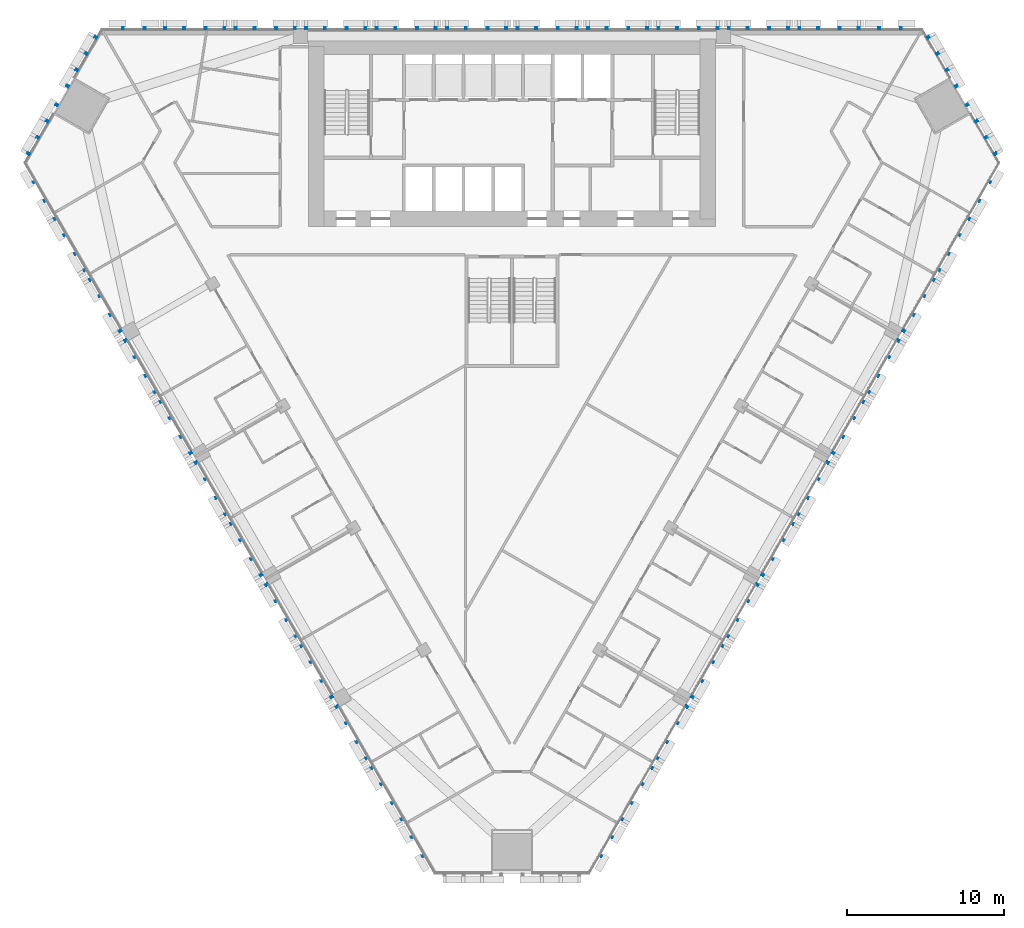
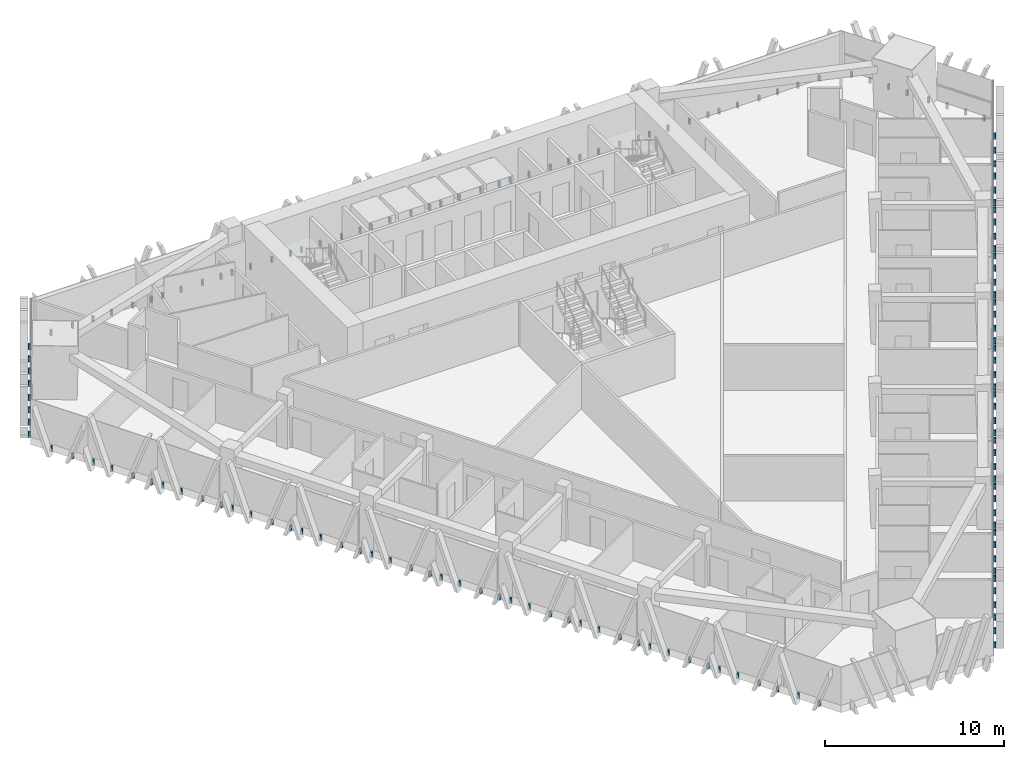
# One storey, part 15 of 18: 5 discrete accessories.
"""IFC4 building model written with IfcOpenShell, lengths in metres."""

from ifc_helpers import new_model, si_unit, direction, frame, origin, place, context, subcontext, project, spatial, polyline, outline, extrude, source, transform, mapped, material, type_object, element, save


model = new_model("IFC4")

# Units and contexts
model_context = context("Model", 3, precision=1e-05, world=origin(), true_north=direction((0.0, 1.0)))
body_context = subcontext(model_context, "Body", "Model", "MODEL_VIEW")
ifc_project = project(units=[si_unit("LENGTHUNIT", "METRE"), si_unit("AREAUNIT", "SQUARE_METRE"), si_unit("VOLUMEUNIT", "CUBIC_METRE"), si_unit("PLANEANGLEUNIT", "RADIAN"), si_unit("MASSUNIT", "GRAM", prefix="KILO")], contexts=[model_context])

# Site, building, storey
site_placement = place(None, origin())
site = spatial("IfcSite", under=ifc_project, at=site_placement, CompositionType="ELEMENT")
building_placement = place(site_placement, origin())
building = spatial("IfcBuilding", under=site, at=building_placement, Name="Altiplano Prism Tower", CompositionType="ELEMENT")
storey_placement = place(building_placement, frame((0.0, 0.0, 34.199951171875)))
storey = spatial("IfcBuildingStorey", under=building, at=storey_placement, Name="L07", CompositionType="ELEMENT", Elevation=34.199951171875)

# Discrete accessories
ifc_material = material(Name="Stainless steel", Category="steel")
discrete_accessory_type = type_object("IfcDiscreteAccessoryType", Name="Stone fin fixing prongs", PredefinedType="USERDEFINED", material=ifc_material)
shared_shape_1 = source(origin(), body_context, "Body", "SweptSolid", [
    extrude(outline(polyline([(-0.7509765625, 0.06005859375), (-0.631103515625, 0.06005859375), (-0.631103515625, 0.43994140625), (-0.7509765625, 0.43994140625), (-0.7509765625, 0.06005859375)])), frame((0.0, 0.0, 0.0), z_axis=(0.0, -1.0, 0.0), x_axis=(1.0, 0.0, 0.0)), (0.0, 0.0, 1.0), 0.14990234375),
    extrude(outline(polyline([(0.631103515625, 0.06005859375), (0.7509765625, 0.06005859375), (0.7509765625, 0.43994140625), (0.631103515625, 0.43994140625), (0.631103515625, 0.06005859375)])), frame((0.0, 0.0, 0.0), z_axis=(0.0, -1.0, 0.0), x_axis=(1.0, 0.0, 0.0)), (0.0, 0.0, 1.0), 0.14990234375),
])
shared_shape_2 = source(origin(), body_context, "Body", "SweptSolid", [
    extrude(outline(polyline([(-1.950927734375, 0.06005859375), (-1.8310546875, 0.06005859375), (-1.8310546875, 0.43994140625), (-1.950927734375, 0.43994140625), (-1.950927734375, 0.06005859375)])), frame((0.0, 0.0, 0.0), z_axis=(0.0, -1.0, 0.0), x_axis=(1.0, 0.0, 0.0)), (0.0, 0.0, 1.0), 0.14990234375),
    extrude(outline(polyline([(-0.7509765625, 0.06005859375), (-0.631103515625, 0.06005859375), (-0.631103515625, 0.43994140625), (-0.7509765625, 0.43994140625), (-0.7509765625, 0.06005859375)])), frame((0.0, 0.0, 0.0), z_axis=(0.0, -1.0, 0.0), x_axis=(1.0, 0.0, 0.0)), (0.0, 0.0, 1.0), 0.14990234375),
    extrude(outline(polyline([(0.631103515625, 0.06005859375), (0.7509765625, 0.06005859375), (0.7509765625, 0.43994140625), (0.631103515625, 0.43994140625), (0.631103515625, 0.06005859375)])), frame((0.0, 0.0, 0.0), z_axis=(0.0, -1.0, 0.0), x_axis=(1.0, 0.0, 0.0)), (0.0, 0.0, 1.0), 0.14990234375),
    extrude(outline(polyline([(1.8310546875, 0.06005859375), (1.950927734375, 0.06005859375), (1.950927734375, 0.43994140625), (1.8310546875, 0.43994140625), (1.8310546875, 0.06005859375)])), frame((0.0, 0.0, 0.0), z_axis=(0.0, -1.0, 0.0), x_axis=(1.0, 0.0, 0.0)), (0.0, 0.0, 1.0), 0.14990234375),
])
discrete_accessory_1_placement = place(storey_placement, origin())
element("IfcDiscreteAccessory", 1, at=discrete_accessory_1_placement, inside=storey, type_object=discrete_accessory_type, Name="Fin fixings L07 north face", ObjectType="BRACKET", PredefinedType="USERDEFINED", context=body_context, shape_type="MappedRepresentation", body=[
    mapped(shared_shape_1, transform((109.153564453125, 105.0, -0.5), x_axis=(-1.0, 0.0, 0.0), y_axis=(0.0, -1.0, 0.0), z_axis=(0.0, 0.0, 1.0))),
    mapped(shared_shape_2, transform((105.25, 105.0, -0.5), x_axis=(-1.0, 0.0, 0.0), y_axis=(0.0, -1.0, 0.0), z_axis=(0.0, 0.0, 1.0))),
    mapped(shared_shape_2, transform((100.75, 105.0, -0.5), x_axis=(-1.0, 0.0, 0.0), y_axis=(0.0, -1.0, 0.0), z_axis=(0.0, 0.0, 1.0))),
    mapped(shared_shape_2, transform((96.25, 105.0, -0.5), x_axis=(-1.0, 0.0, 0.0), y_axis=(0.0, -1.0, 0.0), z_axis=(0.0, 0.0, 1.0))),
    mapped(shared_shape_2, transform((91.75, 105.0, -0.5), x_axis=(-1.0, 0.0, 0.0), y_axis=(0.0, -1.0, 0.0), z_axis=(0.0, 0.0, 1.0))),
    mapped(shared_shape_2, transform((87.25, 105.0, -0.5), x_axis=(-1.0, 0.0, 0.0), y_axis=(0.0, -1.0, 0.0), z_axis=(0.0, 0.0, 1.0))),
    mapped(shared_shape_2, transform((82.75, 105.0, -0.5), x_axis=(-1.0, 0.0, 0.0), y_axis=(0.0, -1.0, 0.0), z_axis=(0.0, 0.0, 1.0))),
    mapped(shared_shape_2, transform((78.25, 105.0, -0.5), x_axis=(-1.0, 0.0, 0.0), y_axis=(0.0, -1.0, 0.0), z_axis=(0.0, 0.0, 1.0))),
    mapped(shared_shape_2, transform((73.75, 105.0, -0.5), x_axis=(-1.0, 0.0, 0.0), y_axis=(0.0, -1.0, 0.0), z_axis=(0.0, 0.0, 1.0))),
    mapped(shared_shape_2, transform((69.25, 105.0, -0.5), x_axis=(-1.0, 0.0, 0.0), y_axis=(0.0, -1.0, 0.0), z_axis=(0.0, 0.0, 1.0))),
    mapped(shared_shape_2, transform((64.75, 105.0, -0.5), x_axis=(-1.0, 0.0, 0.0), y_axis=(0.0, -1.0, 0.0), z_axis=(0.0, 0.0, 1.0))),
    mapped(shared_shape_1, transform((60.846435546875, 105.0, -0.5), x_axis=(-1.0, 0.0, 0.0), y_axis=(0.0, -1.0, 0.0), z_axis=(0.0, 0.0, 1.0))),
])
discrete_accessory_2_placement = place(storey_placement, origin())
element("IfcDiscreteAccessory", 2, at=discrete_accessory_2_placement, inside=storey, type_object=discrete_accessory_type, Name="Fin fixings L07 south-west face", ObjectType="BRACKET", PredefinedType="USERDEFINED", context=body_context, shape_type="MappedRepresentation", body=[
    mapped(shared_shape_1, transform((54.896728515625, 94.694580078125, -0.5), x_axis=(0.499999989059, -0.866025410101, 0.0), y_axis=(0.866025410101, 0.499999989059, 0.0), z_axis=(0.0, 0.0, 1.0))),
    mapped(shared_shape_2, transform((56.848388671875, 91.314208984375, -0.5), x_axis=(0.499999989059, -0.866025410101, 0.0), y_axis=(0.866025410101, 0.499999989059, 0.0), z_axis=(0.0, 0.0, 1.0))),
    mapped(shared_shape_2, transform((59.098388671875, 87.4169921875, -0.5), x_axis=(0.499999989059, -0.866025410101, 0.0), y_axis=(0.866025410101, 0.499999989059, 0.0), z_axis=(0.0, 0.0, 1.0))),
    mapped(shared_shape_2, transform((61.348388671875, 83.519775390625, -0.5), x_axis=(0.499999989059, -0.866025410101, 0.0), y_axis=(0.866025410101, 0.499999989059, 0.0), z_axis=(0.0, 0.0, 1.0))),
    mapped(shared_shape_2, transform((63.598388671875, 79.622802734375, -0.5), x_axis=(0.499999989059, -0.866025410101, 0.0), y_axis=(0.866025410101, 0.499999989059, 0.0), z_axis=(0.0, 0.0, 1.0))),
    mapped(shared_shape_2, transform((65.848388671875, 75.7255859375, -0.5), x_axis=(0.499999989059, -0.866025410101, 0.0), y_axis=(0.866025410101, 0.499999989059, 0.0), z_axis=(0.0, 0.0, 1.0))),
    mapped(shared_shape_2, transform((68.098388671875, 71.82861328125, -0.5), x_axis=(0.499999989059, -0.866025410101, 0.0), y_axis=(0.866025410101, 0.499999989059, 0.0), z_axis=(0.0, 0.0, 1.0))),
    mapped(shared_shape_2, transform((70.348388671875, 67.931396484375, -0.5), x_axis=(0.499999989059, -0.866025410101, 0.0), y_axis=(0.866025410101, 0.499999989059, 0.0), z_axis=(0.0, 0.0, 1.0))),
    mapped(shared_shape_2, transform((72.598388671875, 64.034423828125, -0.5), x_axis=(0.499999989059, -0.866025410101, 0.0), y_axis=(0.866025410101, 0.499999989059, 0.0), z_axis=(0.0, 0.0, 1.0))),
    mapped(shared_shape_2, transform((74.848388671875, 60.13720703125, -0.5), x_axis=(0.499999989059, -0.866025410101, 0.0), y_axis=(0.866025410101, 0.499999989059, 0.0), z_axis=(0.0, 0.0, 1.0))),
    mapped(shared_shape_2, transform((77.098388671875, 56.239990234375, -0.5), x_axis=(0.499999989059, -0.866025410101, 0.0), y_axis=(0.866025410101, 0.499999989059, 0.0), z_axis=(0.0, 0.0, 1.0))),
    mapped(shared_shape_1, transform((79.05029296875, 52.859619140625, -0.5), x_axis=(0.499999989059, -0.866025410101, 0.0), y_axis=(0.866025410101, 0.499999989059, 0.0), z_axis=(0.0, 0.0, 1.0))),
])
discrete_accessory_3_placement = place(storey_placement, origin())
element("IfcDiscreteAccessory", 3, at=discrete_accessory_3_placement, inside=storey, type_object=discrete_accessory_type, Name="Fin fixings L07 south-east face", ObjectType="BRACKET", PredefinedType="USERDEFINED", context=body_context, shape_type="MappedRepresentation", body=[
    mapped(shared_shape_1, transform((90.94970703125, 52.859619140625, -0.5), x_axis=(0.499999989059, 0.866025410101, 0.0), y_axis=(-0.866025410101, 0.499999989059, 0.0), z_axis=(0.0, 0.0, 1.0))),
    mapped(shared_shape_2, transform((92.901611328125, 56.239990234375, -0.5), x_axis=(0.499999989059, 0.866025410101, 0.0), y_axis=(-0.866025410101, 0.499999989059, 0.0), z_axis=(0.0, 0.0, 1.0))),
    mapped(shared_shape_2, transform((95.151611328125, 60.13720703125, -0.5), x_axis=(0.499999989059, 0.866025410101, 0.0), y_axis=(-0.866025410101, 0.499999989059, 0.0), z_axis=(0.0, 0.0, 1.0))),
    mapped(shared_shape_2, transform((97.401611328125, 64.034423828125, -0.5), x_axis=(0.499999989059, 0.866025410101, 0.0), y_axis=(-0.866025410101, 0.499999989059, 0.0), z_axis=(0.0, 0.0, 1.0))),
    mapped(shared_shape_2, transform((99.651611328125, 67.931396484375, -0.5), x_axis=(0.499999989059, 0.866025410101, 0.0), y_axis=(-0.866025410101, 0.499999989059, 0.0), z_axis=(0.0, 0.0, 1.0))),
    mapped(shared_shape_2, transform((101.901611328125, 71.82861328125, -0.5), x_axis=(0.499999989059, 0.866025410101, 0.0), y_axis=(-0.866025410101, 0.499999989059, 0.0), z_axis=(0.0, 0.0, 1.0))),
    mapped(shared_shape_2, transform((104.151611328125, 75.7255859375, -0.5), x_axis=(0.499999989059, 0.866025410101, 0.0), y_axis=(-0.866025410101, 0.499999989059, 0.0), z_axis=(0.0, 0.0, 1.0))),
    mapped(shared_shape_2, transform((106.401611328125, 79.622802734375, -0.5), x_axis=(0.499999989059, 0.866025410101, 0.0), y_axis=(-0.866025410101, 0.499999989059, 0.0), z_axis=(0.0, 0.0, 1.0))),
    mapped(shared_shape_2, transform((108.651611328125, 83.519775390625, -0.5), x_axis=(0.499999989059, 0.866025410101, 0.0), y_axis=(-0.866025410101, 0.499999989059, 0.0), z_axis=(0.0, 0.0, 1.0))),
    mapped(shared_shape_2, transform((110.901611328125, 87.4169921875, -0.5), x_axis=(0.499999989059, 0.866025410101, 0.0), y_axis=(-0.866025410101, 0.499999989059, 0.0), z_axis=(0.0, 0.0, 1.0))),
    mapped(shared_shape_2, transform((113.151611328125, 91.314208984375, -0.5), x_axis=(0.499999989059, 0.866025410101, 0.0), y_axis=(-0.866025410101, 0.499999989059, 0.0), z_axis=(0.0, 0.0, 1.0))),
    mapped(shared_shape_1, transform((115.103271484375, 94.694580078125, -0.5), x_axis=(0.499999989059, 0.866025410101, 0.0), y_axis=(-0.866025410101, 0.499999989059, 0.0), z_axis=(0.0, 0.0, 1.0))),
])
shared_shape_3 = source(origin(), body_context, "Body", "SweptSolid", [
    extrude(outline(polyline([(-3.15087890625, 0.06005859375), (-3.031005859375, 0.06005859375), (-3.031005859375, 0.43994140625), (-3.15087890625, 0.43994140625), (-3.15087890625, 0.06005859375)])), frame((0.0, 0.0, 0.0), z_axis=(0.0, -1.0, 0.0), x_axis=(1.0, 0.0, 0.0)), (0.0, 0.0, 1.0), 0.14990234375),
    extrude(outline(polyline([(-4.35107421875, 0.06005859375), (-4.23095703125, 0.06005859375), (-4.23095703125, 0.43994140625), (-4.35107421875, 0.43994140625), (-4.35107421875, 0.06005859375)])), frame((0.0, 0.0, 0.0), z_axis=(0.0, -1.0, 0.0), x_axis=(1.0, 0.0, 0.0)), (0.0, 0.0, 1.0), 0.14990234375),
    extrude(outline(polyline([(-1.950927734375, 0.06005859375), (-1.8310546875, 0.06005859375), (-1.8310546875, 0.43994140625), (-1.950927734375, 0.43994140625), (-1.950927734375, 0.06005859375)])), frame((0.0, 0.0, 0.0), z_axis=(0.0, -1.0, 0.0), x_axis=(1.0, 0.0, 0.0)), (0.0, 0.0, 1.0), 0.14990234375),
    extrude(outline(polyline([(-0.7509765625, 0.06005859375), (-0.631103515625, 0.06005859375), (-0.631103515625, 0.43994140625), (-0.7509765625, 0.43994140625), (-0.7509765625, 0.06005859375)])), frame((0.0, 0.0, 0.0), z_axis=(0.0, -1.0, 0.0), x_axis=(1.0, 0.0, 0.0)), (0.0, 0.0, 1.0), 0.14990234375),
    extrude(outline(polyline([(0.631103515625, 0.06005859375), (0.7509765625, 0.06005859375), (0.7509765625, 0.43994140625), (0.631103515625, 0.43994140625), (0.631103515625, 0.06005859375)])), frame((0.0, 0.0, 0.0), z_axis=(0.0, -1.0, 0.0), x_axis=(1.0, 0.0, 0.0)), (0.0, 0.0, 1.0), 0.14990234375),
    extrude(outline(polyline([(1.8310546875, 0.06005859375), (1.950927734375, 0.06005859375), (1.950927734375, 0.43994140625), (1.8310546875, 0.43994140625), (1.8310546875, 0.06005859375)])), frame((0.0, 0.0, 0.0), z_axis=(0.0, -1.0, 0.0), x_axis=(1.0, 0.0, 0.0)), (0.0, 0.0, 1.0), 0.14990234375),
    extrude(outline(polyline([(3.031005859375, 0.06005859375), (3.15087890625, 0.06005859375), (3.15087890625, 0.43994140625), (3.031005859375, 0.43994140625), (3.031005859375, 0.06005859375)])), frame((0.0, 0.0, 0.0), z_axis=(0.0, -1.0, 0.0), x_axis=(1.0, 0.0, 0.0)), (0.0, 0.0, 1.0), 0.14990234375),
    extrude(outline(polyline([(4.23095703125, 0.06005859375), (4.35107421875, 0.06005859375), (4.35107421875, 0.43994140625), (4.23095703125, 0.43994140625), (4.23095703125, 0.06005859375)])), frame((0.0, 0.0, 0.0), z_axis=(0.0, -1.0, 0.0), x_axis=(1.0, 0.0, 0.0)), (0.0, 0.0, 1.0), 0.14990234375),
])
discrete_accessory_4_placement = place(storey_placement, origin())
element("IfcDiscreteAccessory", 4, at=discrete_accessory_4_placement, inside=storey, type_object=discrete_accessory_type, Name="Fin fixings L07 north-west chamfer", ObjectType="BRACKET", PredefinedType="USERDEFINED", context=body_context, shape_type="MappedRepresentation", body=[
    mapped(shared_shape_3, transform((56.33154296875, 100.736572265625, -0.5), x_axis=(-0.49999992772, -0.866025445515, 0.0), y_axis=(0.866025445515, -0.49999992772, 0.0), z_axis=(0.0, 0.0, 1.0))),
])
discrete_accessory_5_placement = place(storey_placement, origin())
element("IfcDiscreteAccessory", 5, at=discrete_accessory_5_placement, inside=storey, type_object=discrete_accessory_type, Name="Fin fixings L07 north-east chamfer", ObjectType="BRACKET", PredefinedType="USERDEFINED", context=body_context, shape_type="MappedRepresentation", body=[
    mapped(shared_shape_3, transform((113.66845703125, 100.736572265625, -0.5), x_axis=(-0.49999992772, 0.866025445515, 0.0), y_axis=(-0.866025445515, -0.49999992772, 0.0), z_axis=(0.0, 0.0, 1.0))),
])

save(model, "model.ifc")
